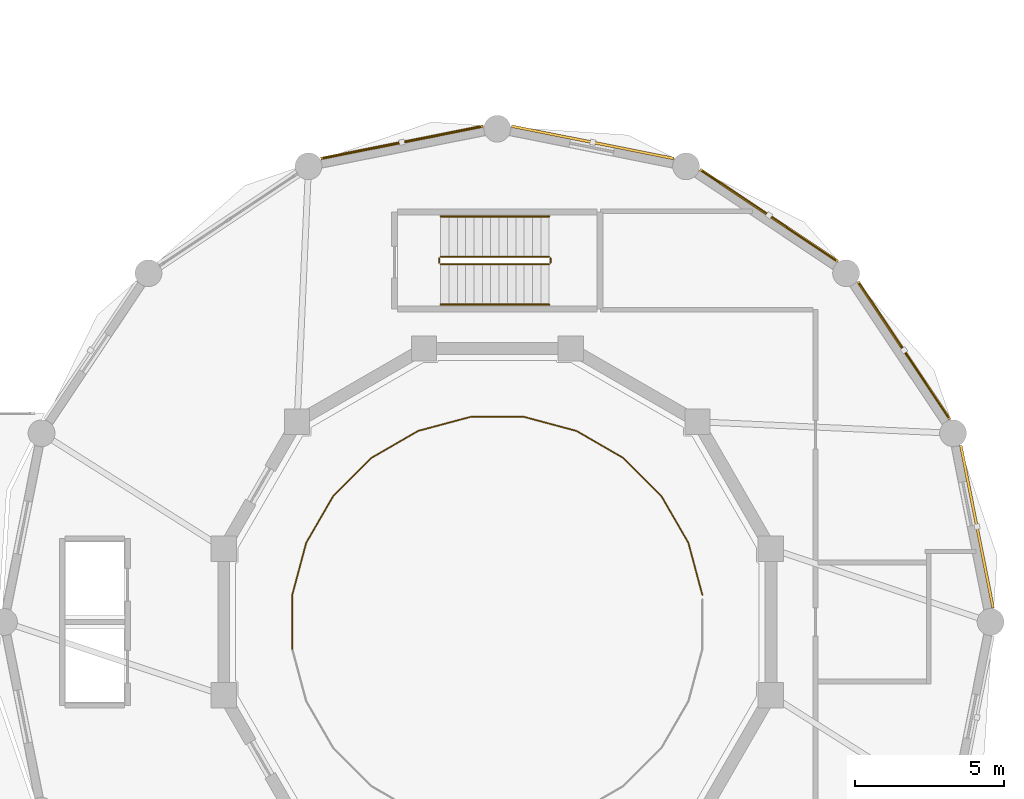
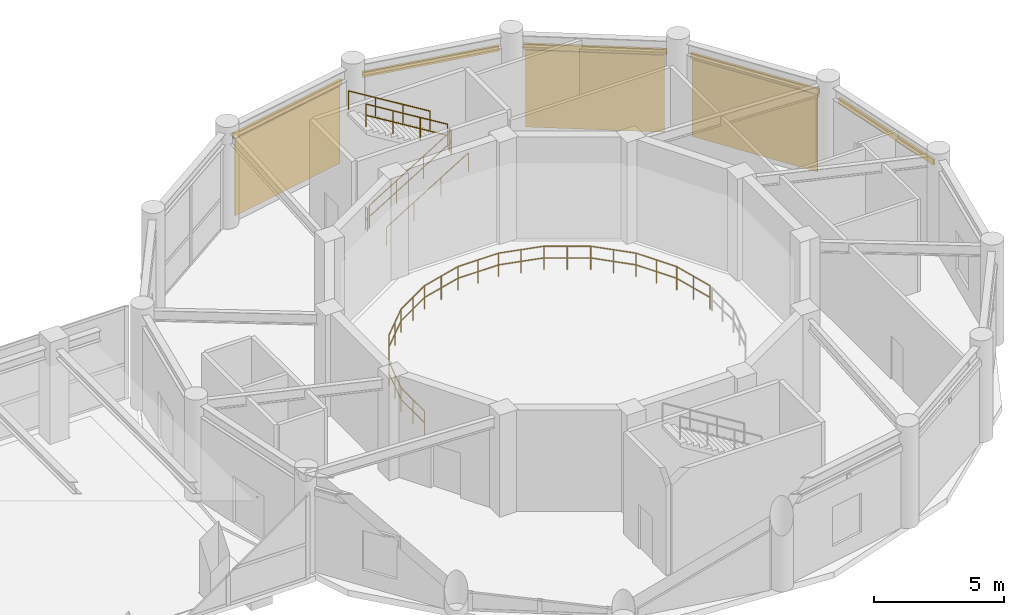
# One storey, part 44 of 44: 7 railings, 5 shading devices, 3 coverings.
"""IFC4 building model written with IfcOpenShell, lengths in metres."""

from ifc_helpers import new_model, si_unit, derived_unit, direction, frame, origin, origin_2d, place, context, subcontext, project, spatial, polyline, hollow_rectangle, circle, outline, extrude, source, transform, mapped, material, layer, layer_set, material_profile, profile_set, type_object, element, save


model = new_model("IFC4")

# Units and contexts
model_context = context("Model", 3, precision=1e-05, world=origin(), true_north=direction((0.0, 1.0)))
body_context = subcontext(model_context, "Body", "Model", "MODEL_VIEW")
ifc_project = project(units=[si_unit("LENGTHUNIT", "METRE"), si_unit("AREAUNIT", "SQUARE_METRE"), si_unit("VOLUMEUNIT", "CUBIC_METRE"), si_unit("PLANEANGLEUNIT", "RADIAN"), si_unit("MASSUNIT", "GRAM", prefix="KILO"), derived_unit("THERMALTRANSMITTANCEUNIT", [(si_unit("POWERUNIT", "WATT"), 1), (si_unit("LENGTHUNIT", "METRE"), -2), (si_unit("THERMODYNAMICTEMPERATUREUNIT", "KELVIN"), -1)])], contexts=[model_context])

# Site, building, storey
site_placement = place(None, origin())
site = spatial("IfcSite", under=ifc_project, at=site_placement, CompositionType="ELEMENT")
building_placement = place(site_placement, origin())
building = spatial("IfcBuilding", under=site, at=building_placement, Name="Korsvarv Bourse and Concert Hall", CompositionType="ELEMENT")
storey_placement = place(building_placement, frame((0.0, 0.0, 9.60009765625)))
storey = spatial("IfcBuildingStorey", under=building, at=storey_placement, Name="L02", CompositionType="ELEMENT", Elevation=9.60009765625)

# Coverings
ifc_material_1 = material(Name="Warm iron-oxide extruded terracotta rainscreen tile", Category="ceramic")
ifc_layer = layer(ifc_material_1, 0.044921875)
ifc_layer_set = layer_set([ifc_layer], Name="Warm iron-oxide extruded terracotta rainscreen tile")
covering_type = type_object("IfcCoveringType", Name="COV-CLD-TC", PredefinedType="CLADDING", material=ifc_layer_set)
covering_1_placement = place(storey_placement, origin())
element("IfcCovering", 1, at=covering_1_placement, inside=storey, type_object=covering_type, Name="L02 fluted terracotta cladding panel EW-L02-CHD02", PredefinedType="CLADDING", context=body_context, shape_type="SweptSolid", body=[
    extrude(outline(polyline([(121.9052734375, 42.853271484375), (118.912109375, 47.332763671875), (118.949462890625, 47.35791015625), (121.942626953125, 42.878173828125), (121.9052734375, 42.853271484375)])), origin(), (0.0, 0.0, 1.0), 3.6298828125),
])
covering_2_placement = place(storey_placement, origin())
element("IfcCovering", 2, at=covering_2_placement, inside=storey, type_object=covering_type, Name="L02 fluted terracotta cladding panel EW-L02-CHD03", PredefinedType="CLADDING", context=body_context, shape_type="SweptSolid", body=[
    extrude(outline(polyline([(118.1328125, 48.112060546875), (113.6533203125, 51.105224609375), (113.67822265625, 51.142578125), (118.15771484375, 48.1494140625), (118.1328125, 48.112060546875)])), origin(), (0.0, 0.0, 1.0), 3.6298828125),
])
covering_3_placement = place(storey_placement, origin())
element("IfcCovering", 3, at=covering_3_placement, inside=storey, type_object=covering_type, Name="L02 fluted terracotta cladding panel EW-L02-CHD05", PredefinedType="CLADDING", context=body_context, shape_type="SweptSolid", body=[
    extrude(outline(polyline([(106.248779296875, 52.577880859375), (100.965087890625, 51.527099609375), (100.956298828125, 51.571044921875), (106.239990234375, 52.6220703125), (106.248779296875, 52.577880859375)])), origin(), (0.0, 0.0, 1.0), 3.6298828125),
])

# Railings
ifc_material_2 = material(Name="Laminated safety glass and stainless Steel S355 balustrade", Category="steel")
railing_type_1 = type_object("IfcRailingType", Name="RL-BAL-EXT", PredefinedType="BALUSTRADE", material=ifc_material_2)
railing_1_placement = place(storey_placement, frame((113.68017578125, 36.90576171875, 0.0)))
element("IfcRailing", 4, at=railing_1_placement, inside=storey, type_object=railing_type_1, Name="L02 Symphony Auditorium Balcony Guardrail A", PredefinedType="BALUSTRADE", context=body_context, shape_type="SweptSolid", body=[
    extrude(circle(Radius=0.02392578125, at=origin_2d()), frame((0.0, 0.0, 1.1259765625), z_axis=(-0.258736085224, 0.965948051503, 0.0), x_axis=(-0.965948051503, -0.258736085224, 0.0)), (0.0, 0.0, 1.0), 1.811767578125),
    extrude(circle(Radius=0.02392578125, at=origin_2d()), frame((0.0, 0.0, 0.574951171875), z_axis=(-0.258736085224, 0.965948051503, 0.0), x_axis=(-0.965948051503, -0.258736085224, 0.0)), (0.0, 0.0, 1.0), 1.811767578125),
    extrude(circle(Radius=0.02392578125, at=origin_2d()), frame((-0.46875, 1.75, 1.1259765625), z_axis=(-0.499994660107, 0.866028486751, 0.0), x_axis=(-0.866028486751, -0.499994660107, 0.0)), (0.0, 0.0, 1.0), 1.8115234375),
    extrude(circle(Radius=0.02392578125, at=origin_2d()), frame((-0.46875, 1.75, 0.574951171875), z_axis=(-0.499994660107, 0.866028486751, 0.0), x_axis=(-0.866028486751, -0.499994660107, 0.0)), (0.0, 0.0, 1.0), 1.8115234375),
    extrude(circle(Radius=0.02392578125, at=origin_2d()), frame((-1.37451171875, 3.31884765625, 1.1259765625), z_axis=(-0.707106781187, 0.707106781187, 0.0), x_axis=(-0.707106781187, -0.707106781187, 0.0)), (0.0, 0.0, 1.0), 1.8115234375),
    extrude(circle(Radius=0.02392578125, at=origin_2d()), frame((-1.37451171875, 3.31884765625, 0.574951171875), z_axis=(-0.707106781187, 0.707106781187, 0.0), x_axis=(-0.707106781187, -0.707106781187, 0.0)), (0.0, 0.0, 1.0), 1.8115234375),
    extrude(circle(Radius=0.02392578125, at=origin_2d()), frame((-2.655517578125, 4.599853515625, 1.1259765625), z_axis=(-0.866028486751, 0.499994660107, 0.0), x_axis=(-0.499994660107, -0.866028486751, 0.0)), (0.0, 0.0, 1.0), 1.8115234375),
    extrude(circle(Radius=0.02392578125, at=origin_2d()), frame((-2.655517578125, 4.599853515625, 0.574951171875), z_axis=(-0.866028486751, 0.499994660107, 0.0), x_axis=(-0.499994660107, -0.866028486751, 0.0)), (0.0, 0.0, 1.0), 1.8115234375),
    extrude(circle(Radius=0.02392578125, at=origin_2d()), frame((-4.224365234375, 5.505615234375, 1.1259765625), z_axis=(-0.965948051503, 0.258736085224, 0.0), x_axis=(-0.258736085224, -0.965948051503, 0.0)), (0.0, 0.0, 1.0), 1.811767578125),
    extrude(circle(Radius=0.02392578125, at=origin_2d()), frame((-4.224365234375, 5.505615234375, 0.574951171875), z_axis=(-0.965948051503, 0.258736085224, 0.0), x_axis=(-0.258736085224, -0.965948051503, 0.0)), (0.0, 0.0, 1.0), 1.811767578125),
    extrude(circle(Radius=0.02392578125, at=origin_2d()), frame((-5.974365234375, 5.974365234375, 1.1259765625), z_axis=(-1.0, 0.0, 0.0), x_axis=(0.0, -1.0, 0.0)), (0.0, 0.0, 1.0), 1.8115234375),
    extrude(circle(Radius=0.02392578125, at=origin_2d()), frame((-5.974365234375, 5.974365234375, 0.574951171875), z_axis=(-1.0, 0.0, 0.0), x_axis=(0.0, -1.0, 0.0)), (0.0, 0.0, 1.0), 1.8115234375),
    extrude(circle(Radius=0.02392578125, at=origin_2d()), frame((-7.785888671875, 5.974365234375, 1.1259765625), z_axis=(-0.965948051503, -0.258736085224, 0.0), x_axis=(0.258736085224, -0.965948051503, 0.0)), (0.0, 0.0, 1.0), 1.811767578125),
    extrude(circle(Radius=0.02392578125, at=origin_2d()), frame((-7.785888671875, 5.974365234375, 0.574951171875), z_axis=(-0.965948051503, -0.258736085224, 0.0), x_axis=(0.258736085224, -0.965948051503, 0.0)), (0.0, 0.0, 1.0), 1.811767578125),
    extrude(circle(Radius=0.02392578125, at=origin_2d()), frame((-9.535888671875, 5.505615234375, 1.1259765625), z_axis=(-0.866028486751, -0.499994660107, 0.0), x_axis=(0.499994660107, -0.866028486751, 0.0)), (0.0, 0.0, 1.0), 1.8115234375),
    extrude(circle(Radius=0.02392578125, at=origin_2d()), frame((-9.535888671875, 5.505615234375, 0.574951171875), z_axis=(-0.866028486751, -0.499994660107, 0.0), x_axis=(0.499994660107, -0.866028486751, 0.0)), (0.0, 0.0, 1.0), 1.8115234375),
    extrude(circle(Radius=0.02392578125, at=origin_2d()), frame((-11.104736328125, 4.599853515625, 1.1259765625), z_axis=(-0.707106781187, -0.707106781187, 0.0), x_axis=(0.707106781187, -0.707106781187, 0.0)), (0.0, 0.0, 1.0), 1.8115234375),
    extrude(circle(Radius=0.02392578125, at=origin_2d()), frame((-11.104736328125, 4.599853515625, 0.574951171875), z_axis=(-0.707106781187, -0.707106781187, 0.0), x_axis=(0.707106781187, -0.707106781187, 0.0)), (0.0, 0.0, 1.0), 1.8115234375),
    extrude(circle(Radius=0.02392578125, at=origin_2d()), frame((-12.3857421875, 3.31884765625, 1.1259765625), z_axis=(-0.499994660107, -0.866028486751, 0.0), x_axis=(0.866028486751, -0.499994660107, 0.0)), (0.0, 0.0, 1.0), 1.8115234375),
    extrude(circle(Radius=0.02392578125, at=origin_2d()), frame((-12.3857421875, 3.31884765625, 0.574951171875), z_axis=(-0.499994660107, -0.866028486751, 0.0), x_axis=(0.866028486751, -0.499994660107, 0.0)), (0.0, 0.0, 1.0), 1.8115234375),
    extrude(circle(Radius=0.02392578125, at=origin_2d()), frame((-13.29150390625, 1.75, 1.1259765625), z_axis=(-0.258736085224, -0.965948051503, 0.0), x_axis=(0.965948051503, -0.258736085224, 0.0)), (0.0, 0.0, 1.0), 1.811767578125),
    extrude(circle(Radius=0.02392578125, at=origin_2d()), frame((-13.29150390625, 1.75, 0.574951171875), z_axis=(-0.258736085224, -0.965948051503, 0.0), x_axis=(0.965948051503, -0.258736085224, 0.0)), (0.0, 0.0, 1.0), 1.811767578125),
    extrude(circle(Radius=0.02392578125, at=origin_2d()), frame((-13.76025390625, 0.0, 1.1259765625), z_axis=(0.0, -1.0, 0.0), x_axis=(1.0, 0.0, 0.0)), (0.0, 0.0, 1.0), 1.8115234375),
    extrude(circle(Radius=0.02392578125, at=origin_2d()), frame((-13.76025390625, 0.0, 0.574951171875), z_axis=(0.0, -1.0, 0.0), x_axis=(1.0, 0.0, 0.0)), (0.0, 0.0, 1.0), 1.8115234375),
    extrude(circle(Radius=0.02099609375, at=origin_2d()), origin(), (0.0, 0.0, 1.0), 1.101806640625),
    extrude(circle(Radius=0.02099609375, at=origin_2d()), frame((-0.234375, 0.875, 0.0)), (0.0, 0.0, 1.0), 1.101806640625),
    extrude(circle(Radius=0.02099609375, at=origin_2d()), frame((-0.46875, 1.75, 0.0)), (0.0, 0.0, 1.0), 1.101806640625),
    extrude(circle(Radius=0.02099609375, at=origin_2d()), frame((-0.921630859375, 2.534423828125, 0.0)), (0.0, 0.0, 1.0), 1.101806640625),
    extrude(circle(Radius=0.02099609375, at=origin_2d()), frame((-1.37451171875, 3.31884765625, 0.0)), (0.0, 0.0, 1.0), 1.101806640625),
    extrude(circle(Radius=0.02099609375, at=origin_2d()), frame((-2.01513671875, 3.95947265625, 0.0)), (0.0, 0.0, 1.0), 1.101806640625),
    extrude(circle(Radius=0.02099609375, at=origin_2d()), frame((-2.655517578125, 4.599853515625, 0.0)), (0.0, 0.0, 1.0), 1.101806640625),
    extrude(circle(Radius=0.02099609375, at=origin_2d()), frame((-3.43994140625, 5.052734375, 0.0)), (0.0, 0.0, 1.0), 1.101806640625),
    extrude(circle(Radius=0.02099609375, at=origin_2d()), frame((-4.224365234375, 5.505615234375, 0.0)), (0.0, 0.0, 1.0), 1.101806640625),
    extrude(circle(Radius=0.02099609375, at=origin_2d()), frame((-5.099365234375, 5.739990234375, 0.0)), (0.0, 0.0, 1.0), 1.101806640625),
    extrude(circle(Radius=0.02099609375, at=origin_2d()), frame((-5.974365234375, 5.974365234375, 0.0)), (0.0, 0.0, 1.0), 1.101806640625),
    extrude(circle(Radius=0.02099609375, at=origin_2d()), frame((-6.880126953125, 5.974365234375, 0.0)), (0.0, 0.0, 1.0), 1.101806640625),
    extrude(circle(Radius=0.02099609375, at=origin_2d()), frame((-7.785888671875, 5.974365234375, 0.0)), (0.0, 0.0, 1.0), 1.101806640625),
    extrude(circle(Radius=0.02099609375, at=origin_2d()), frame((-8.660888671875, 5.739990234375, 0.0)), (0.0, 0.0, 1.0), 1.101806640625),
    extrude(circle(Radius=0.02099609375, at=origin_2d()), frame((-9.535888671875, 5.505615234375, 0.0)), (0.0, 0.0, 1.0), 1.101806640625),
    extrude(circle(Radius=0.02099609375, at=origin_2d()), frame((-10.3203125, 5.052734375, 0.0)), (0.0, 0.0, 1.0), 1.101806640625),
    extrude(circle(Radius=0.02099609375, at=origin_2d()), frame((-11.104736328125, 4.599853515625, 0.0)), (0.0, 0.0, 1.0), 1.101806640625),
    extrude(circle(Radius=0.02099609375, at=origin_2d()), frame((-11.7451171875, 3.95947265625, 0.0)), (0.0, 0.0, 1.0), 1.101806640625),
    extrude(circle(Radius=0.02099609375, at=origin_2d()), frame((-12.3857421875, 3.31884765625, 0.0)), (0.0, 0.0, 1.0), 1.101806640625),
    extrude(circle(Radius=0.02099609375, at=origin_2d()), frame((-12.838623046875, 2.534423828125, 0.0)), (0.0, 0.0, 1.0), 1.101806640625),
    extrude(circle(Radius=0.02099609375, at=origin_2d()), frame((-13.29150390625, 1.75, 0.0)), (0.0, 0.0, 1.0), 1.101806640625),
    extrude(circle(Radius=0.02099609375, at=origin_2d()), frame((-13.52587890625, 0.875, 0.0)), (0.0, 0.0, 1.0), 1.101806640625),
    extrude(circle(Radius=0.02099609375, at=origin_2d()), frame((-13.76025390625, 0.0, 0.0)), (0.0, 0.0, 1.0), 1.101806640625),
    extrude(circle(Radius=0.02099609375, at=origin_2d()), frame((-13.76025390625, -0.90576171875, 0.0)), (0.0, 0.0, 1.0), 1.101806640625),
    extrude(circle(Radius=0.02099609375, at=origin_2d()), frame((-13.76025390625, -1.8115234375, 0.0)), (0.0, 0.0, 1.0), 1.101806640625),
])
ifc_material_3 = material(Name="Painted Steel S355 stair well guardrail", Category="steel")
railing_type_2 = type_object("IfcRailingType", Name="RL-ST-GRD", PredefinedType="GUARDRAIL", material=ifc_material_3)
railing_2_placement = place(storey_placement, frame((104.89990234375, 48.0, 0.17138671875)))
element("IfcRailing", 5, at=railing_2_placement, inside=storey, type_object=railing_type_2, Name="L02 ST-CH1 stair guard 1", PredefinedType="GUARDRAIL", context=body_context, shape_type="SweptSolid", body=[
    extrude(circle(Radius=0.02392578125, at=origin_2d()), frame((0.0, 0.0, 1.076171875), z_axis=(0.852865859571, 0.0, 0.52213008492), x_axis=(0.0, 1.0, 0.0)), (0.0, 0.0, 1.0), 4.26806640625),
    extrude(circle(Radius=0.02392578125, at=origin_2d()), frame((0.0, 0.0, 0.550048828125), z_axis=(0.852865859571, 0.0, 0.52213008492), x_axis=(0.0, 1.0, 0.0)), (0.0, 0.0, 1.0), 4.26806640625),
    extrude(circle(Radius=0.02099609375, at=origin_2d()), origin(), (0.0, 0.0, 1.0), 1.052001953125),
    extrude(circle(Radius=0.02099609375, at=origin_2d()), frame((1.21337890625, 0.0, 0.742919921875)), (0.0, 0.0, 1.0), 1.052001953125),
    extrude(circle(Radius=0.02099609375, at=origin_2d()), frame((2.4267578125, 0.0, 1.485595703125)), (0.0, 0.0, 1.0), 1.052001953125),
    extrude(circle(Radius=0.02099609375, at=origin_2d()), frame((3.64013671875, 0.0, 2.228515625)), (0.0, 0.0, 1.0), 1.052001953125),
])
railing_3_placement = place(storey_placement, frame((108.590087890625, 48.050048828125, 2.39990234375)))
element("IfcRailing", 6, at=railing_3_placement, inside=storey, type_object=railing_type_2, Name="L02 ST-CH1 stair guard 2", PredefinedType="GUARDRAIL", context=body_context, shape_type="SweptSolid", body=[
    extrude(circle(Radius=0.02392578125, at=origin_2d()), frame((0.0, 0.0, 1.076171875), z_axis=(0.0, 1.0, 0.0), x_axis=(-1.0, 0.0, 0.0)), (0.0, 0.0, 1.0), 0.159912109375),
    extrude(circle(Radius=0.02392578125, at=origin_2d()), frame((0.0, 0.0, 0.550048828125), z_axis=(0.0, 1.0, 0.0), x_axis=(-1.0, 0.0, 0.0)), (0.0, 0.0, 1.0), 0.159912109375),
    extrude(circle(Radius=0.02099609375, at=origin_2d()), origin(), (0.0, 0.0, 1.0), 1.052001953125),
    extrude(circle(Radius=0.02099609375, at=origin_2d()), frame((0.0, 0.159912109375, 0.0)), (0.0, 0.0, 1.0), 1.052001953125),
])
railing_4_placement = place(storey_placement, frame((108.5400390625, 48.260009765625, 2.5712890625)))
element("IfcRailing", 7, at=railing_4_placement, inside=storey, type_object=railing_type_2, Name="L02 ST-CH1 stair guard 3", PredefinedType="GUARDRAIL", context=body_context, shape_type="SweptSolid", body=[
    extrude(circle(Radius=0.02392578125, at=origin_2d()), frame((0.0, 0.0, 1.076171875), z_axis=(-0.852865859571, 0.0, 0.52213008492), x_axis=(0.0, -1.0, 0.0)), (0.0, 0.0, 1.0), 4.26806640625),
    extrude(circle(Radius=0.02392578125, at=origin_2d()), frame((0.0, 0.0, 0.550048828125), z_axis=(-0.852865859571, 0.0, 0.52213008492), x_axis=(0.0, -1.0, 0.0)), (0.0, 0.0, 1.0), 4.26806640625),
    extrude(circle(Radius=0.02099609375, at=origin_2d()), origin(), (0.0, 0.0, 1.0), 1.052001953125),
    extrude(circle(Radius=0.02099609375, at=origin_2d()), frame((-1.21337890625, 0.0, 0.742919921875)), (0.0, 0.0, 1.0), 1.052001953125),
    extrude(circle(Radius=0.02099609375, at=origin_2d()), frame((-2.4267578125, 0.0, 1.485595703125)), (0.0, 0.0, 1.0), 1.052001953125),
    extrude(circle(Radius=0.02099609375, at=origin_2d()), frame((-3.64013671875, 0.0, 2.228515625)), (0.0, 0.0, 1.0), 1.052001953125),
])
railing_5_placement = place(storey_placement, frame((104.85009765625, 48.050048828125, 0.0)))
element("IfcRailing", 8, at=railing_5_placement, inside=storey, type_object=railing_type_2, Name="L02 ST-CH1 stair guard 4", PredefinedType="GUARDRAIL", context=body_context, shape_type="SweptSolid", body=[
    extrude(circle(Radius=0.02392578125, at=origin_2d()), frame((0.0, 0.0, 1.076171875), z_axis=(0.0, 1.0, 0.0), x_axis=(-1.0, 0.0, 0.0)), (0.0, 0.0, 1.0), 0.159912109375),
    extrude(circle(Radius=0.02392578125, at=origin_2d()), frame((0.0, 0.0, 0.550048828125), z_axis=(0.0, 1.0, 0.0), x_axis=(-1.0, 0.0, 0.0)), (0.0, 0.0, 1.0), 0.159912109375),
    extrude(circle(Radius=0.02099609375, at=origin_2d()), origin(), (0.0, 0.0, 1.0), 1.052001953125),
    extrude(circle(Radius=0.02099609375, at=origin_2d()), frame((0.0, 0.159912109375, 0.0)), (0.0, 0.0, 1.0), 1.052001953125),
])
ifc_material_4 = material(Name="Brushed stainless Steel S355 tubular handrail", Category="steel")
railing_type_3 = type_object("IfcRailingType", Name="RL-ST-HND", PredefinedType="HANDRAIL", material=ifc_material_4)
railing_6_placement = place(storey_placement, frame((104.89990234375, 46.64990234375, 0.17138671875)))
element("IfcRailing", 9, at=railing_6_placement, inside=storey, type_object=railing_type_3, Name="L02 ST-CH1 stair handrail 1", PredefinedType="HANDRAIL", context=body_context, shape_type="SweptSolid", body=[
    extrude(circle(Radius=0.02392578125, at=origin_2d()), frame((0.0, 0.0, 0.8759765625), z_axis=(0.852865859571, 0.0, 0.52213008492), x_axis=(0.0, 1.0, 0.0)), (0.0, 0.0, 1.0), 4.26806640625),
    extrude(circle(Radius=0.02099609375, at=origin_2d()), origin(), (0.0, 0.0, 1.0), 0.851806640625),
    extrude(circle(Radius=0.02099609375, at=origin_2d()), frame((1.21337890625, 0.0, 0.742919921875)), (0.0, 0.0, 1.0), 0.851806640625),
    extrude(circle(Radius=0.02099609375, at=origin_2d()), frame((2.4267578125, 0.0, 1.485595703125)), (0.0, 0.0, 1.0), 0.851806640625),
    extrude(circle(Radius=0.02099609375, at=origin_2d()), frame((3.64013671875, 0.0, 2.228515625)), (0.0, 0.0, 1.0), 0.851806640625),
])
railing_7_placement = place(storey_placement, frame((108.5400390625, 49.610107421875, 2.5712890625)))
element("IfcRailing", 10, at=railing_7_placement, inside=storey, type_object=railing_type_3, Name="L02 ST-CH1 stair handrail 2", PredefinedType="HANDRAIL", context=body_context, shape_type="SweptSolid", body=[
    extrude(circle(Radius=0.02392578125, at=origin_2d()), frame((0.0, 0.0, 0.8759765625), z_axis=(-0.852865859571, 0.0, 0.52213008492), x_axis=(0.0, -1.0, 0.0)), (0.0, 0.0, 1.0), 4.26806640625),
    extrude(circle(Radius=0.02099609375, at=origin_2d()), origin(), (0.0, 0.0, 1.0), 0.851806640625),
    extrude(circle(Radius=0.02099609375, at=origin_2d()), frame((-1.21337890625, 0.0, 0.742919921875)), (0.0, 0.0, 1.0), 0.851806640625),
    extrude(circle(Radius=0.02099609375, at=origin_2d()), frame((-2.4267578125, 0.0, 1.485595703125)), (0.0, 0.0, 1.0), 0.851806640625),
    extrude(circle(Radius=0.02099609375, at=origin_2d()), frame((-3.64013671875, 0.0, 2.228515625)), (0.0, 0.0, 1.0), 0.851806640625),
])

# Shading devices
ifc_material_5 = material(Name="Glazed extruded architectural terracotta", Category="ceramic")
ifc_material_profile = material_profile(ifc_material_5, hollow_rectangle(XDim=0.090087890625, YDim=0.260009765625, WallThickness=0.011962890625, at=origin_2d()), Name="TC-BAG 90x260")
ifc_profile_set = profile_set([ifc_material_profile], Name="Glazed extruded architectural terracotta")
shading_device_type = type_object("IfcShadingDeviceType", Name="SHD-BAG-1", PredefinedType="USERDEFINED", material=ifc_profile_set)
shared_shape = source(origin(), body_context, "Body", "SweptSolid", [
    extrude(hollow_rectangle(XDim=0.090087890625, YDim=0.260009765625, WallThickness=0.011962890625, at=origin_2d()), origin(), (0.0, 0.0, 1.0), 5.54736328125),
])
for number, where, z_axis, x_axis, name in (
    (11, (123.432861328125, 36.48046875, 3.789794921875), (-0.195100393406, 0.980783277025, 0.0), (-0.980783277025, -0.195100393406, 0.0), "L02 terracotta baguette sunshade EW-L02-CHD01"),
    (12, (121.98291015625, 42.808837890625, 3.789794921875), (-0.555573305798, 0.831467559129, 0.0), (-0.831467559129, -0.555573305798, 0.0), "L02 terracotta baguette sunshade EW-L02-CHD02"),
    (13, (118.221435546875, 48.100830078125, 3.789794921875), (-0.831467559129, 0.555573305798, 0.0), (-0.555573305798, -0.831467559129, 0.0), "L02 terracotta baguette sunshade EW-L02-CHD03"),
    (14, (112.72119140625, 51.550537109375, 3.789794921875), (-0.980783277025, 0.195100393406, 0.0), (-0.195100393406, -0.980783277025, 0.0), "L02 terracotta baguette sunshade EW-L02-CHD04"),
    (15, (106.319580078125, 52.6328125, 3.789794921875), (-0.980783277025, -0.195100393406, 0.0), (0.195100393406, -0.980783277025, 0.0), "L02 terracotta baguette sunshade EW-L02-CHD05"),
):
    element("IfcShadingDevice", number, at=place(storey_placement, frame(where, z_axis=z_axis, x_axis=x_axis)), inside=storey, type_object=shading_device_type, Name=name, ObjectType="BAGUETTE", PredefinedType="USERDEFINED", context=body_context, shape_type="MappedRepresentation", body=[
        mapped(shared_shape, transform((0.0, 0.0, 0.0), scale=1.0)),
    ])

save(model, "model.ifc")
